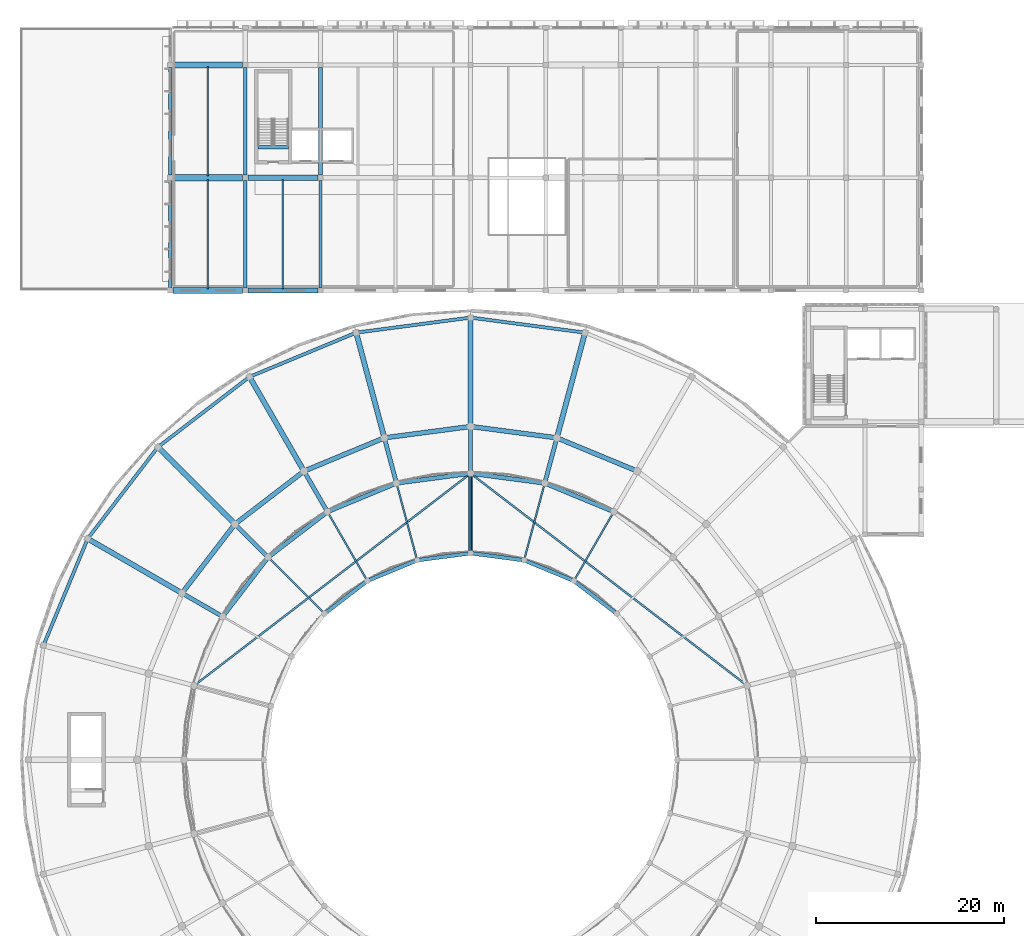
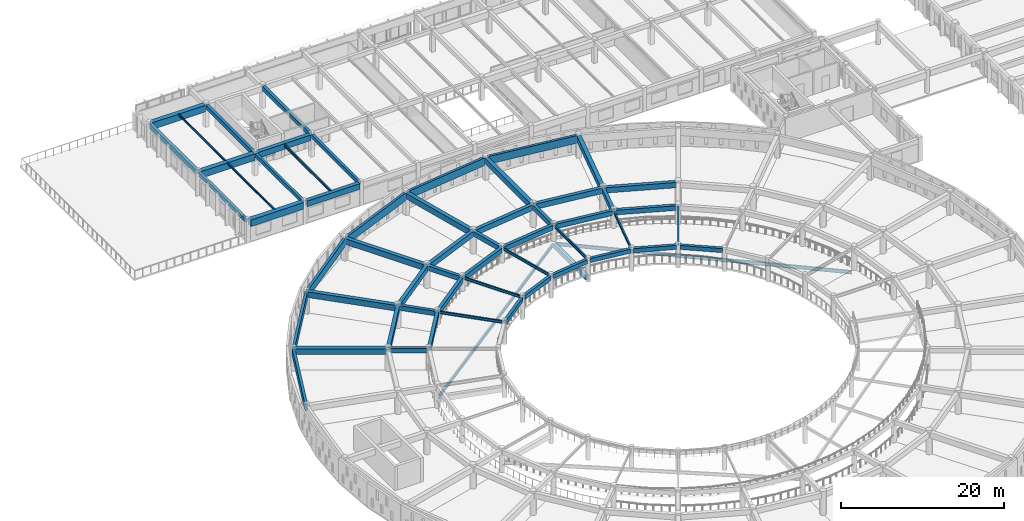
# One storey, part 17 of 155: 60 beams.
"""IFC4 building model written with IfcOpenShell, lengths in metres."""

from ifc_helpers import new_model, si_unit, direction, frame, origin, origin_2d, place, context, subcontext, project, spatial, rectangle, i_section, extrude, material, material_profile, profile_set, type_object, element, save


model = new_model("IFC4")

# Units and contexts
model_context = context("Model", 3, precision=1e-05, world=origin(), true_north=direction((0.0, 1.0)))
body_context = subcontext(model_context, "Body", "Model", "MODEL_VIEW")
ifc_project = project(units=[si_unit("LENGTHUNIT", "METRE"), si_unit("AREAUNIT", "SQUARE_METRE"), si_unit("VOLUMEUNIT", "CUBIC_METRE"), si_unit("PLANEANGLEUNIT", "RADIAN"), si_unit("MASSUNIT", "GRAM", prefix="KILO")], contexts=[model_context])

# Site, building, storey
site_placement = place(None, origin())
site = spatial("IfcSite", under=ifc_project, at=site_placement, CompositionType="ELEMENT")
building_placement = place(site_placement, origin())
building = spatial("IfcBuilding", under=site, at=building_placement, Name="Larkveld Mobility Hub", CompositionType="ELEMENT")
storey_placement = place(building_placement, frame((0.0, 0.0, 8.39990234375)))
storey = spatial("IfcBuildingStorey", under=building, at=storey_placement, Name="L02", CompositionType="ELEMENT", Elevation=8.39990234375)

# Beams
ifc_material_1 = material(Name="Concrete C40/50", Category="concrete")
ifc_material_profile_1 = material_profile(ifc_material_1, rectangle(XDim=0.35009765625, YDim=0.550048828125, at=origin_2d()), Name="RC BM 350x550")
ifc_profile_set_1 = profile_set([ifc_material_profile_1], Name="Concrete C40/50")
beam_type_1 = type_object("IfcBeamType", Name="BM-RC3555", PredefinedType="BEAM", material=ifc_profile_set_1)
for number, where, z_axis, x_axis, name in (
    (1, (16.0, 98.27490234375, 3.085205078125), (0.0, 1.0, 0.0), (-1.0, 0.0, 0.0), "Primary N-S Girder L02-0588"),
    (2, (24.0, 98.27490234375, 3.085205078125), (0.0, 1.0, 0.0), (-1.0, 0.0, 0.0), "Primary N-S Girder L02-0590"),
    (3, (32.0, 98.27490234375, 3.085205078125), (0.0, 1.0, 0.0), (-1.0, 0.0, 0.0), "Primary N-S Girder L02-0593"),
):
    element("IfcBeam", number, at=place(storey_placement, frame(where, z_axis=z_axis, x_axis=x_axis)), inside=storey, type_object=beam_type_1, Name=name, PredefinedType="BEAM", context=body_context, shape_type="SweptSolid", body=[
        extrude(rectangle(XDim=0.35009765625, YDim=0.550048828125, at=origin_2d()), origin(), (0.0, 0.0, 1.0), 11.4501953125),
    ])
beam_1_placement = place(storey_placement, frame((25.330078125, 113.239990234375, -0.27001953125), z_axis=(1.0, 0.0, 0.0), x_axis=(0.0, 1.0, 0.0)))
element("IfcBeam", 4, at=beam_1_placement, inside=storey, type_object=beam_type_1, Name="Core C6 Stair Header Beam L02", PredefinedType="BEAM", context=body_context, shape_type="SweptSolid", body=[
    extrude(rectangle(XDim=0.35009765625, YDim=0.550048828125, at=origin_2d()), origin(), (0.0, 0.0, 1.0), 3.2900390625),
])
ifc_material_profile_2 = material_profile(ifc_material_1, rectangle(XDim=0.39990234375, YDim=0.60009765625, at=origin_2d()), Name="RC BM 400x600")
ifc_profile_set_2 = profile_set([ifc_material_profile_2], Name="Concrete C40/50")
beam_type_2 = type_object("IfcBeamType", Name="BM-RC4060", PredefinedType="BEAM", material=ifc_profile_set_2)
beam_2_placement = place(storey_placement, frame((63.365966796875, 63.701904296875, 3.03515625), z_axis=(-0.793289009793, 0.608845256975, 0.0), x_axis=(-0.608845256975, -0.793289009793, 0.0)))
element("IfcBeam", 5, at=beam_2_placement, inside=storey, type_object=beam_type_2, Name="Drum Chord Ring Beam L02-1632", PredefinedType="BEAM", context=body_context, shape_type="SweptSolid", body=[
    extrude(rectangle(XDim=0.39990234375, YDim=0.60009765625, at=origin_2d()), origin(), (0.0, 0.0, 1.0), 5.26416015625),
])
beam_3_placement = place(storey_placement, frame((58.778076171875, 67.14501953125, 3.03515625), z_axis=(-0.923946165147, 0.382522527323, 0.0), x_axis=(-0.382522527323, -0.923946165147, 0.0)))
element("IfcBeam", 6, at=beam_3_placement, inside=storey, type_object=beam_type_2, Name="Drum Chord Ring Beam L02-1636", PredefinedType="BEAM", context=body_context, shape_type="SweptSolid", body=[
    extrude(rectangle(XDim=0.39990234375, YDim=0.60009765625, at=origin_2d()), origin(), (0.0, 0.0, 1.0), 5.26220703125),
])
for number, where, z_axis, x_axis, name in (
    (7, (53.4560546875, 69.281005859375, 3.03515625), (-0.991419683951, 0.130717291413, 0.0), (-0.130717291413, -0.991419683951, 0.0), "Drum Chord Ring Beam L02-1640"),
    (8, (47.761962890625, 69.968994140625, 3.03515625), (-0.991419683951, -0.130717291413, 0.0), (0.130717291413, -0.991419683951, 0.0), "Drum Chord Ring Beam L02-1644"),
):
    element("IfcBeam", number, at=place(storey_placement, frame(where, z_axis=z_axis, x_axis=x_axis)), inside=storey, type_object=beam_type_2, Name=name, PredefinedType="BEAM", context=body_context, shape_type="SweptSolid", body=[
        extrude(rectangle(XDim=0.39990234375, YDim=0.60009765625, at=origin_2d()), origin(), (0.0, 0.0, 1.0), 5.26318359375),
    ])
beam_4_placement = place(storey_placement, frame((42.083984375, 69.157958984375, 3.03515625), z_axis=(-0.923946165147, -0.382522527323, 0.0), x_axis=(0.382522527323, -0.923946165147, 0.0)))
element("IfcBeam", 9, at=beam_4_placement, inside=storey, type_object=beam_type_2, Name="Drum Chord Ring Beam L02-1648", PredefinedType="BEAM", context=body_context, shape_type="SweptSolid", body=[
    extrude(rectangle(XDim=0.39990234375, YDim=0.60009765625, at=origin_2d()), origin(), (0.0, 0.0, 1.0), 5.26220703125),
])
beam_5_placement = place(storey_placement, frame((36.81005859375, 66.906982421875, 3.03515625), z_axis=(-0.793289009793, -0.608845256975, 0.0), x_axis=(0.608845256975, -0.793289009793, 0.0)))
element("IfcBeam", 10, at=beam_5_placement, inside=storey, type_object=beam_type_2, Name="Drum Chord Ring Beam L02-1652", PredefinedType="BEAM", context=body_context, shape_type="SweptSolid", body=[
    extrude(rectangle(XDim=0.39990234375, YDim=0.60009765625, at=origin_2d()), origin(), (0.0, 0.0, 1.0), 5.26416015625),
])
ifc_material_profile_3 = material_profile(ifc_material_1, rectangle(XDim=0.39990234375, YDim=0.64990234375, at=origin_2d()), Name="RC BM 400x650")
ifc_profile_set_3 = profile_set([ifc_material_profile_3], Name="Concrete C40/50")
beam_type_3 = type_object("IfcBeamType", Name="BM-RC4065", PredefinedType="BEAM", material=ifc_profile_set_3)
for number, where, z_axis, x_axis, name in (
    (11, (16.0, 110.27490234375, 3.03515625), (0.0, 1.0, 0.0), (-1.0, 0.0, 0.0), "Primary N-S Girder L02-0589"),
    (12, (24.0, 110.27490234375, 3.03515625), (0.0, 1.0, 0.0), (-1.0, 0.0, 0.0), "Primary N-S Girder L02-0591"),
    (13, (32.0, 110.27490234375, 3.03515625), (0.0, 1.0, 0.0), (-1.0, 0.0, 0.0), "Primary N-S Girder L02-0593"),
):
    element("IfcBeam", number, at=place(storey_placement, frame(where, z_axis=z_axis, x_axis=x_axis)), inside=storey, type_object=beam_type_3, Name=name, PredefinedType="BEAM", context=body_context, shape_type="SweptSolid", body=[
        extrude(rectangle(XDim=0.39990234375, YDim=0.64990234375, at=origin_2d()), origin(), (0.0, 0.0, 1.0), 11.4501953125),
    ])
ifc_material_profile_4 = material_profile(ifc_material_1, rectangle(XDim=0.449951171875, YDim=0.699951171875, at=origin_2d()), Name="RC BM 450x700")
ifc_profile_set_4 = profile_set([ifc_material_profile_4], Name="Concrete C40/50")
beam_type_4 = type_object("IfcBeamType", Name="BM-RC4570", PredefinedType="BEAM", material=ifc_profile_set_4)
beam_6_placement = place(storey_placement, frame((55.9560546875, 77.693115234375, 2.985107421875), z_axis=(0.258886406125, 0.96590777444, 0.0), x_axis=(-0.96590777444, 0.258886406125, 0.0)))
element("IfcBeam", 14, at=beam_6_placement, inside=storey, type_object=beam_type_4, Name="Drum Radial Girder L02-1565", PredefinedType="BEAM", context=body_context, shape_type="SweptSolid", body=[
    extrude(rectangle(XDim=0.449951171875, YDim=0.699951171875, at=origin_2d()), origin(), (0.0, 0.0, 1.0), 4.51904296875),
])
beam_7_placement = place(storey_placement, frame((48.0, 78.739990234375, 2.985107421875), z_axis=(0.0, 1.0, 0.0), x_axis=(-1.0, 0.0, 0.0)))
element("IfcBeam", 15, at=beam_7_placement, inside=storey, type_object=beam_type_4, Name="Drum Radial Girder L02-1568", PredefinedType="BEAM", context=body_context, shape_type="SweptSolid", body=[
    extrude(rectangle(XDim=0.449951171875, YDim=0.699951171875, at=origin_2d()), origin(), (0.0, 0.0, 1.0), 4.52001953125),
])
beam_8_placement = place(storey_placement, frame((40.0439453125, 77.693115234375, 2.985107421875), z_axis=(-0.258886406125, 0.96590777444, 0.0), x_axis=(-0.96590777444, -0.258886406125, 0.0)))
element("IfcBeam", 16, at=beam_8_placement, inside=storey, type_object=beam_type_4, Name="Drum Radial Girder L02-1571", PredefinedType="BEAM", context=body_context, shape_type="SweptSolid", body=[
    extrude(rectangle(XDim=0.449951171875, YDim=0.699951171875, at=origin_2d()), origin(), (0.0, 0.0, 1.0), 4.51904296875),
])
beam_9_placement = place(storey_placement, frame((32.6298828125, 74.6220703125, 2.985107421875), z_axis=(-0.50002017008, 0.86601375827, 0.0), x_axis=(-0.86601375827, -0.50002017008, 0.0)))
element("IfcBeam", 17, at=beam_9_placement, inside=storey, type_object=beam_type_4, Name="Drum Radial Girder L02-1574", PredefinedType="BEAM", context=body_context, shape_type="SweptSolid", body=[
    extrude(rectangle(XDim=0.449951171875, YDim=0.699951171875, at=origin_2d()), origin(), (0.0, 0.0, 1.0), 4.519287109375),
])
beam_10_placement = place(storey_placement, frame((26.262939453125, 69.737060546875, 2.985107421875), z_axis=(-0.707106781187, 0.707106781187, 0.0), x_axis=(-0.707106781187, -0.707106781187, 0.0)))
element("IfcBeam", 18, at=beam_10_placement, inside=storey, type_object=beam_type_4, Name="Drum Radial Girder L02-1577", PredefinedType="BEAM", context=body_context, shape_type="SweptSolid", body=[
    extrude(rectangle(XDim=0.449951171875, YDim=0.699951171875, at=origin_2d()), origin(), (0.0, 0.0, 1.0), 4.51806640625),
])
beam_11_placement = place(storey_placement, frame((21.3779296875, 63.3701171875, 2.985107421875), z_axis=(-0.86601375827, 0.50002017008, 0.0), x_axis=(-0.50002017008, -0.86601375827, 0.0)))
element("IfcBeam", 19, at=beam_11_placement, inside=storey, type_object=beam_type_4, Name="Drum Radial Girder L02-1580", PredefinedType="BEAM", context=body_context, shape_type="SweptSolid", body=[
    extrude(rectangle(XDim=0.449951171875, YDim=0.699951171875, at=origin_2d()), origin(), (0.0, 0.0, 1.0), 4.519287109375),
])
beam_12_placement = place(storey_placement, frame((63.028076171875, 74.506103515625, 2.985107421875), z_axis=(-0.923893542605, 0.382649607255, 0.0), x_axis=(-0.382649607255, -0.923893542605, 0.0)))
element("IfcBeam", 20, at=beam_12_placement, inside=storey, type_object=beam_type_4, Name="Drum Chord Ring Beam L02-1637", PredefinedType="BEAM", context=body_context, shape_type="SweptSolid", body=[
    extrude(rectangle(XDim=0.449951171875, YDim=0.699951171875, at=origin_2d()), origin(), (0.0, 0.0, 1.0), 7.4814453125),
])
for number, where, z_axis, x_axis, name in (
    (21, (55.656005859375, 77.491943359375, 2.985107421875), (-0.991436961012, 0.1305861874, 0.0), (-0.1305861874, -0.991436961012, 0.0), "Drum Chord Ring Beam L02-1641"),
    (22, (47.761962890625, 78.468994140625, 2.985107421875), (-0.991436961012, -0.1305861874, 0.0), (0.1305861874, -0.991436961012, 0.0), "Drum Chord Ring Beam L02-1645"),
):
    element("IfcBeam", number, at=place(storey_placement, frame(where, z_axis=z_axis, x_axis=x_axis)), inside=storey, type_object=beam_type_4, Name=name, PredefinedType="BEAM", context=body_context, shape_type="SweptSolid", body=[
        extrude(rectangle(XDim=0.449951171875, YDim=0.699951171875, at=origin_2d()), origin(), (0.0, 0.0, 1.0), 7.48193359375),
    ])
beam_13_placement = place(storey_placement, frame((39.884033203125, 77.368896484375, 2.985107421875), z_axis=(-0.923893542605, -0.382649607255, 0.0), x_axis=(0.382649607255, -0.923893542605, 0.0)))
element("IfcBeam", 23, at=beam_13_placement, inside=storey, type_object=beam_type_4, Name="Drum Chord Ring Beam L02-1649", PredefinedType="BEAM", context=body_context, shape_type="SweptSolid", body=[
    extrude(rectangle(XDim=0.449951171875, YDim=0.699951171875, at=origin_2d()), origin(), (0.0, 0.0, 1.0), 7.4814453125),
])
for number, where, z_axis, x_axis, name in (
    (24, (32.56005859375, 74.26806640625, 2.985107421875), (-0.793382610721, -0.608723281143, 0.0), (0.608723281143, -0.793382610721, 0.0), "Drum Chord Ring Beam L02-1653"),
    (25, (26.287109375, 69.376953125, 2.985107421875), (-0.608723281143, -0.793382610721, 0.0), (0.793382610721, -0.608723281143, 0.0), "Drum Chord Ring Beam L02-1657"),
):
    element("IfcBeam", number, at=place(storey_placement, frame(where, z_axis=z_axis, x_axis=x_axis)), inside=storey, type_object=beam_type_4, Name=name, PredefinedType="BEAM", context=body_context, shape_type="SweptSolid", body=[
        extrude(rectangle(XDim=0.449951171875, YDim=0.699951171875, at=origin_2d()), origin(), (0.0, 0.0, 1.0), 7.483154296875),
    ])
beam_14_placement = place(storey_placement, frame((48.0, 70.280029296875, 0.30517578125), z_axis=(0.0, 1.0, 0.0), x_axis=(-1.0, 0.0, 0.0)))
element("IfcBeam", 26, at=beam_14_placement, inside=storey, type_object=beam_type_4, Name="Helical Ramp Radial Support Girder L02-1765", PredefinedType="BEAM", context=body_context, shape_type="SweptSolid", body=[
    extrude(rectangle(XDim=0.449951171875, YDim=0.699951171875, at=origin_2d()), origin(), (0.0, 0.0, 1.0), 7.93994140625),
])
ifc_material_profile_5 = material_profile(ifc_material_1, rectangle(XDim=0.5, YDim=0.800048828125, at=origin_2d()), Name="RC BM 500x800")
ifc_profile_set_5 = profile_set([ifc_material_profile_5], Name="Concrete C40/50")
beam_type_5 = type_object("IfcBeamType", Name="BM-RC5080", PredefinedType="BEAM", material=ifc_profile_set_5)
beam_15_placement = place(storey_placement, frame((65.528076171875, 78.8359375, 2.93505859375), z_axis=(-0.923903395556, 0.382625816799, 0.0), x_axis=(-0.382625816799, -0.923903395556, 0.0)))
element("IfcBeam", 27, at=beam_15_placement, inside=storey, type_object=beam_type_5, Name="Drum Chord Ring Beam L02-1638", PredefinedType="BEAM", context=body_context, shape_type="SweptSolid", body=[
    extrude(rectangle(XDim=0.5, YDim=0.800048828125, at=origin_2d()), origin(), (0.0, 0.0, 1.0), 8.786865234375),
])
for number, where, z_axis, x_axis, name in (
    (28, (56.949951171875, 82.321044921875, 2.93505859375), (-0.991430069478, 0.130638498674, 0.0), (-0.130638498674, -0.991430069478, 0.0), "Drum Chord Ring Beam L02-1642"),
    (29, (47.761962890625, 83.468994140625, 2.93505859375), (-0.991430069478, -0.130638498674, 0.0), (0.130638498674, -0.991430069478, 0.0), "Drum Chord Ring Beam L02-1646"),
):
    element("IfcBeam", number, at=place(storey_placement, frame(where, z_axis=z_axis, x_axis=x_axis)), inside=storey, type_object=beam_type_5, Name=name, PredefinedType="BEAM", context=body_context, shape_type="SweptSolid", body=[
        extrude(rectangle(XDim=0.5, YDim=0.800048828125, at=origin_2d()), origin(), (0.0, 0.0, 1.0), 8.787109375),
    ])
beam_16_placement = place(storey_placement, frame((38.590087890625, 82.197998046875, 2.93505859375), z_axis=(-0.923903395556, -0.382625816799, 0.0), x_axis=(0.382625816799, -0.923903395556, 0.0)))
element("IfcBeam", 30, at=beam_16_placement, inside=storey, type_object=beam_type_5, Name="Drum Chord Ring Beam L02-1650", PredefinedType="BEAM", context=body_context, shape_type="SweptSolid", body=[
    extrude(rectangle(XDim=0.5, YDim=0.800048828125, at=origin_2d()), origin(), (0.0, 0.0, 1.0), 8.786865234375),
])
for number, where, z_axis, x_axis, name in (
    (31, (30.06005859375, 78.597900390625, 2.93505859375), (-0.793357689021, -0.608755761591, 0.0), (0.608755761591, -0.793357689021, 0.0), "Drum Chord Ring Beam L02-1654"),
    (32, (22.751953125, 72.912109375, 2.93505859375), (-0.608755761591, -0.793357689021, 0.0), (0.793357689021, -0.608755761591, 0.0), "Drum Chord Ring Beam L02-1658"),
):
    element("IfcBeam", number, at=place(storey_placement, frame(where, z_axis=z_axis, x_axis=x_axis)), inside=storey, type_object=beam_type_5, Name=name, PredefinedType="BEAM", context=body_context, shape_type="SweptSolid", body=[
        extrude(rectangle(XDim=0.5, YDim=0.800048828125, at=origin_2d()), origin(), (0.0, 0.0, 1.0), 8.7880859375),
    ])
ifc_material_profile_6 = material_profile(ifc_material_1, rectangle(XDim=0.550048828125, YDim=0.85009765625, at=origin_2d()), Name="RC BM 550x850")
ifc_profile_set_6 = profile_set([ifc_material_profile_6], Name="Concrete C40/50")
beam_type_6 = type_object("IfcBeamType", Name="BM-RC5585", PredefinedType="BEAM", material=ifc_profile_set_6)
for number, where, z_axis, x_axis, name in (
    (33, (24.27490234375, 98.0, 2.93505859375), (1.0, 0.0, 0.0), (0.0, 1.0, 0.0), "Primary E-W Girder L02-0539"),
    (34, (24.27490234375, 110.0, 2.93505859375), (1.0, 0.0, 0.0), (0.0, 1.0, 0.0), "Primary E-W Girder L02-0557"),
):
    element("IfcBeam", number, at=place(storey_placement, frame(where, z_axis=z_axis, x_axis=x_axis)), inside=storey, type_object=beam_type_6, Name=name, PredefinedType="BEAM", context=body_context, shape_type="SweptSolid", body=[
        extrude(rectangle(XDim=0.550048828125, YDim=0.85009765625, at=origin_2d()), origin(), (0.0, 0.0, 1.0), 7.4501953125),
    ])
beam_17_placement = place(storey_placement, frame((57.25, 82.52197265625, 2.91015625), z_axis=(0.258810344821, 0.965928157481, 0.0), x_axis=(-0.965928157481, 0.258810344821, 0.0)))
element("IfcBeam", 35, at=beam_17_placement, inside=storey, type_object=beam_type_6, Name="Drum Radial Girder L02-1566", PredefinedType="BEAM", context=body_context, shape_type="SweptSolid", body=[
    extrude(rectangle(XDim=0.550048828125, YDim=0.85009765625, at=origin_2d()), origin(), (0.0, 0.0, 1.0), 11.119873046875),
])
beam_18_placement = place(storey_placement, frame((48.0, 83.739990234375, 2.91015625), z_axis=(0.0, 1.0, 0.0), x_axis=(-1.0, 0.0, 0.0)))
element("IfcBeam", 36, at=beam_18_placement, inside=storey, type_object=beam_type_6, Name="Drum Radial Girder L02-1569", PredefinedType="BEAM", context=body_context, shape_type="SweptSolid", body=[
    extrude(rectangle(XDim=0.550048828125, YDim=0.85009765625, at=origin_2d()), origin(), (0.0, 0.0, 1.0), 11.1201171875),
])
for number, where, z_axis, x_axis, name in (
    (37, (38.75, 82.52197265625, 2.91015625), (-0.258810344821, 0.965928157481, 0.0), (-0.965928157481, -0.258810344821, 0.0), "Drum Radial Girder L02-1572"),
    (38, (30.1298828125, 78.951904296875, 2.91015625), (-0.499990426839, 0.866030930781, 0.0), (-0.866030930781, -0.499990426839, 0.0), "Drum Radial Girder L02-1575"),
):
    element("IfcBeam", number, at=place(storey_placement, frame(where, z_axis=z_axis, x_axis=x_axis)), inside=storey, type_object=beam_type_6, Name=name, PredefinedType="BEAM", context=body_context, shape_type="SweptSolid", body=[
        extrude(rectangle(XDim=0.550048828125, YDim=0.85009765625, at=origin_2d()), origin(), (0.0, 0.0, 1.0), 11.119873046875),
    ])
beam_19_placement = place(storey_placement, frame((22.72802734375, 73.27197265625, 2.91015625), z_axis=(-0.707106781187, 0.707106781187, 0.0), x_axis=(-0.707106781187, -0.707106781187, 0.0)))
element("IfcBeam", 39, at=beam_19_placement, inside=storey, type_object=beam_type_6, Name="Drum Radial Girder L02-1578", PredefinedType="BEAM", context=body_context, shape_type="SweptSolid", body=[
    extrude(rectangle(XDim=0.550048828125, YDim=0.85009765625, at=origin_2d()), origin(), (0.0, 0.0, 1.0), 11.1201171875),
])
beam_20_placement = place(storey_placement, frame((17.048095703125, 65.8701171875, 2.91015625), z_axis=(-0.866030930781, 0.499990426839, 0.0), x_axis=(-0.499990426839, -0.866030930781, 0.0)))
element("IfcBeam", 40, at=beam_20_placement, inside=storey, type_object=beam_type_6, Name="Drum Radial Girder L02-1581", PredefinedType="BEAM", context=body_context, shape_type="SweptSolid", body=[
    extrude(rectangle(XDim=0.550048828125, YDim=0.85009765625, at=origin_2d()), origin(), (0.0, 0.0, 1.0), 11.119873046875),
])
ifc_material_profile_7 = material_profile(ifc_material_1, rectangle(XDim=0.64990234375, YDim=1.0, at=origin_2d()), Name="RC BM 650x1000")
ifc_profile_set_7 = profile_set([ifc_material_profile_7], Name="Concrete C40/50")
beam_type_7 = type_object("IfcBeamType", Name="BM-RC65100", PredefinedType="BEAM", material=ifc_profile_set_7)
for number, where, z_axis, x_axis, name in (
    (41, (16.27490234375, 98.0, 2.860107421875), (1.0, 0.0, 0.0), (0.0, 1.0, 0.0), "Primary E-W Girder L02-0538"),
    (42, (16.27490234375, 110.0, 2.860107421875), (1.0, 0.0, 0.0), (0.0, 1.0, 0.0), "Primary E-W Girder L02-0556"),
    (43, (16.27490234375, 122.0, 2.860107421875), (1.0, 0.0, 0.0), (0.0, 1.0, 0.0), "Primary E-W Girder L02-0570"),
):
    element("IfcBeam", number, at=place(storey_placement, frame(where, z_axis=z_axis, x_axis=x_axis)), inside=storey, type_object=beam_type_7, Name=name, PredefinedType="BEAM", context=body_context, shape_type="SweptSolid", body=[
        extrude(rectangle(XDim=0.64990234375, YDim=1.0, at=origin_2d()), origin(), (0.0, 0.0, 1.0), 7.4501953125),
    ])
ifc_material_2 = material(Name="Precast concrete C50/60", Category="concrete")
ifc_material_profile_8 = material_profile(ifc_material_2, rectangle(XDim=0.35009765625, YDim=1.14990234375, at=origin_2d()), Name="PC SP 350x1150")
ifc_profile_set_8 = profile_set([ifc_material_profile_8], Name="Precast concrete C50/60")
beam_type_8 = type_object("IfcBeamType", Name="BM-SP35115", PredefinedType="SPANDREL", material=ifc_profile_set_8)
for number, where, z_axis, x_axis, name in (
    (44, (59.951904296875, 93.52587890625, 2.760009765625), (-0.991433323883, 0.130613798255, 0.0), (-0.130613798255, -0.991433323883, 0.0), "Drum Chord Ring Beam L02-1643"),
    (45, (47.761962890625, 95.069091796875, 2.760009765625), (-0.991433323883, -0.130613798255, 0.0), (0.130613798255, -0.991433323883, 0.0), "Drum Chord Ring Beam L02-1647"),
):
    element("IfcBeam", number, at=place(storey_placement, frame(where, z_axis=z_axis, x_axis=x_axis)), inside=storey, type_object=beam_type_8, Name=name, PredefinedType="SPANDREL", context=body_context, shape_type="SweptSolid", body=[
        extrude(rectangle(XDim=0.35009765625, YDim=1.14990234375, at=origin_2d()), origin(), (0.0, 0.0, 1.0), 11.815185546875),
    ])
beam_21_placement = place(storey_placement, frame((35.587890625, 93.403076171875, 2.760009765625), z_axis=(-0.923893431655, -0.38264987514, 0.0), x_axis=(0.38264987514, -0.923893431655, 0.0)))
element("IfcBeam", 46, at=beam_21_placement, inside=storey, type_object=beam_type_8, Name="Drum Chord Ring Beam L02-1651", PredefinedType="SPANDREL", context=body_context, shape_type="SweptSolid", body=[
    extrude(rectangle(XDim=0.35009765625, YDim=1.14990234375, at=origin_2d()), origin(), (0.0, 0.0, 1.0), 11.81494140625),
])
for number, where, z_axis, x_axis, name in (
    (47, (24.260009765625, 88.64404296875, 2.760009765625), (-0.79337685225, -0.608730786402, 0.0), (0.608730786402, -0.79337685225, 0.0), "Drum Chord Ring Beam L02-1655"),
    (48, (14.549072265625, 81.114990234375, 2.760009765625), (-0.608730786402, -0.79337685225, 0.0), (0.79337685225, -0.608730786402, 0.0), "Drum Chord Ring Beam L02-1659"),
):
    element("IfcBeam", number, at=place(storey_placement, frame(where, z_axis=z_axis, x_axis=x_axis)), inside=storey, type_object=beam_type_8, Name=name, PredefinedType="SPANDREL", context=body_context, shape_type="SweptSolid", body=[
        extrude(rectangle(XDim=0.35009765625, YDim=1.14990234375, at=origin_2d()), origin(), (0.0, 0.0, 1.0), 11.816650390625),
    ])
beam_22_placement = place(storey_placement, frame((7.117919921875, 71.327880859375, 2.760009765625), z_axis=(-0.38264987514, -0.923893431655, 0.0), x_axis=(0.923893431655, -0.38264987514, 0.0)))
element("IfcBeam", 49, at=beam_22_placement, inside=storey, type_object=beam_type_8, Name="Drum Chord Ring Beam L02-1663", PredefinedType="SPANDREL", context=body_context, shape_type="SweptSolid", body=[
    extrude(rectangle(XDim=0.35009765625, YDim=1.14990234375, at=origin_2d()), origin(), (0.0, 0.0, 1.0), 11.81494140625),
])
ifc_material_3 = material(Name="Steel S355JR", Category="steel")
ifc_material_profile_9 = material_profile(ifc_material_3, i_section(OverallWidth=0.14990234375, OverallDepth=0.300048828125, WebThickness=0.007080078125, FlangeThickness=0.0107421875, FilletRadius=0.014892578125, at=origin_2d()), Name="IPE 300")
ifc_profile_set_9 = profile_set([ifc_material_profile_9], Name="Steel S355JR")
beam_type_9 = type_object("IfcBeamType", Name="BM-STIPE300", PredefinedType="BEAM", material=ifc_profile_set_9)
for number, where, z_axis, x_axis, name in (
    (50, (20.0, 98.169921875, 3.22021484375), (0.0, 1.0, 0.0), (-1.0, 0.0, 0.0), "Bicycle Hall Secondary Beam L02-1200"),
    (51, (20.0, 110.169921875, 3.22021484375), (0.0, 1.0, 0.0), (-1.0, 0.0, 0.0), "Bicycle Hall Secondary Beam L02-1201"),
):
    element("IfcBeam", number, at=place(storey_placement, frame(where, z_axis=z_axis, x_axis=x_axis)), inside=storey, type_object=beam_type_9, Name=name, PredefinedType="BEAM", context=body_context, shape_type="SweptSolid", body=[
        extrude(i_section(OverallWidth=0.14990234375, OverallDepth=0.300048828125, WebThickness=0.007080078125, FlangeThickness=0.0107421875, FilletRadius=0.014892578125, at=origin_2d()), origin(), (0.0, 0.0, 1.0), 11.66015625),
    ])
ifc_material_profile_10 = material_profile(ifc_material_3, i_section(OverallWidth=0.179931640625, OverallDepth=0.39990234375, WebThickness=0.008544921875, FlangeThickness=0.013427734375, FilletRadius=0.02099609375, at=origin_2d()), Name="IPE 400")
ifc_profile_set_10 = profile_set([ifc_material_profile_10], Name="Steel S355JR")
beam_type_10 = type_object("IfcBeamType", Name="BM-STIPE400", PredefinedType="BEAM", material=ifc_profile_set_10)
beam_23_placement = place(storey_placement, frame((28.0, 98.169921875, 3.170166015625), z_axis=(0.0, 1.0, 0.0), x_axis=(-1.0, 0.0, 0.0)))
element("IfcBeam", 52, at=beam_23_placement, inside=storey, type_object=beam_type_10, Name="Bicycle Hall Secondary Beam L02-1202", PredefinedType="BEAM", context=body_context, shape_type="SweptSolid", body=[
    extrude(i_section(OverallWidth=0.179931640625, OverallDepth=0.39990234375, WebThickness=0.008544921875, FlangeThickness=0.013427734375, FilletRadius=0.02099609375, at=origin_2d()), origin(), (0.0, 0.0, 1.0), 11.66015625),
])
beam_24_placement = place(storey_placement, frame((59.1201171875, 67.260986328125, 3.135009765625), z_axis=(0.50000266895, 0.86602386286, 0.0), x_axis=(-0.86602386286, 0.50000266895, 0.0)))
element("IfcBeam", 53, at=beam_24_placement, inside=storey, type_object=beam_type_10, Name="Drum Radial Girder L02-1561", PredefinedType="BEAM", context=body_context, shape_type="SweptSolid", body=[
    extrude(i_section(OverallWidth=0.179931640625, OverallDepth=0.39990234375, WebThickness=0.008544921875, FlangeThickness=0.013427734375, FilletRadius=0.02099609375, at=origin_2d()), origin(), (0.0, 0.0, 1.0), 8.01953125),
])
beam_25_placement = place(storey_placement, frame((53.756103515625, 69.48193359375, 3.135009765625), z_axis=(0.258831434294, 0.96592250653, 0.0), x_axis=(-0.96592250653, 0.258831434294, 0.0)))
element("IfcBeam", 54, at=beam_25_placement, inside=storey, type_object=beam_type_10, Name="Drum Radial Girder L02-1564", PredefinedType="BEAM", context=body_context, shape_type="SweptSolid", body=[
    extrude(i_section(OverallWidth=0.179931640625, OverallDepth=0.39990234375, WebThickness=0.008544921875, FlangeThickness=0.013427734375, FilletRadius=0.02099609375, at=origin_2d()), origin(), (0.0, 0.0, 1.0), 8.020263671875),
])
beam_26_placement = place(storey_placement, frame((48.0, 70.239990234375, 3.135009765625), z_axis=(0.0, 1.0, 0.0), x_axis=(-1.0, 0.0, 0.0)))
element("IfcBeam", 55, at=beam_26_placement, inside=storey, type_object=beam_type_10, Name="Drum Radial Girder L02-1567", PredefinedType="BEAM", context=body_context, shape_type="SweptSolid", body=[
    extrude(i_section(OverallWidth=0.179931640625, OverallDepth=0.39990234375, WebThickness=0.008544921875, FlangeThickness=0.013427734375, FilletRadius=0.02099609375, at=origin_2d()), origin(), (0.0, 0.0, 1.0), 8.02001953125),
])
beam_27_placement = place(storey_placement, frame((42.243896484375, 69.48193359375, 3.135009765625), z_axis=(-0.258831434294, 0.96592250653, 0.0), x_axis=(-0.96592250653, -0.258831434294, 0.0)))
element("IfcBeam", 56, at=beam_27_placement, inside=storey, type_object=beam_type_10, Name="Drum Radial Girder L02-1570", PredefinedType="BEAM", context=body_context, shape_type="SweptSolid", body=[
    extrude(i_section(OverallWidth=0.179931640625, OverallDepth=0.39990234375, WebThickness=0.008544921875, FlangeThickness=0.013427734375, FilletRadius=0.02099609375, at=origin_2d()), origin(), (0.0, 0.0, 1.0), 8.020263671875),
])
beam_28_placement = place(storey_placement, frame((36.8798828125, 67.260986328125, 3.135009765625), z_axis=(-0.50000266895, 0.86602386286, 0.0), x_axis=(-0.86602386286, -0.50000266895, 0.0)))
element("IfcBeam", 57, at=beam_28_placement, inside=storey, type_object=beam_type_10, Name="Drum Radial Girder L02-1573", PredefinedType="BEAM", context=body_context, shape_type="SweptSolid", body=[
    extrude(i_section(OverallWidth=0.179931640625, OverallDepth=0.39990234375, WebThickness=0.008544921875, FlangeThickness=0.013427734375, FilletRadius=0.02099609375, at=origin_2d()), origin(), (0.0, 0.0, 1.0), 8.01953125),
])
beam_29_placement = place(storey_placement, frame((32.27392578125, 63.72607421875, 3.135009765625), z_axis=(-0.707106781187, 0.707106781187, 0.0), x_axis=(-0.707106781187, -0.707106781187, 0.0)))
element("IfcBeam", 58, at=beam_29_placement, inside=storey, type_object=beam_type_10, Name="Drum Radial Girder L02-1576", PredefinedType="BEAM", context=body_context, shape_type="SweptSolid", body=[
    extrude(i_section(OverallWidth=0.179931640625, OverallDepth=0.39990234375, WebThickness=0.008544921875, FlangeThickness=0.013427734375, FilletRadius=0.02099609375, at=origin_2d()), origin(), (0.0, 0.0, 1.0), 8.019775390625),
])
ifc_material_profile_11 = material_profile(ifc_material_3, i_section(OverallWidth=0.199951171875, OverallDepth=0.5, WebThickness=0.01025390625, FlangeThickness=0.01611328125, FilletRadius=0.02099609375, at=origin_2d()), Name="IPE 500")
ifc_profile_set_11 = profile_set([ifc_material_profile_11], Name="Steel S355JR")
beam_type_11 = type_object("IfcBeamType", Name="BM-STIPE500", PredefinedType="BEAM", material=ifc_profile_set_11)
for number, where, z_axis, x_axis, name in (
    (59, (77.239013671875, 56.06396484375, -0.544921875), (-0.79310649328, 0.608586151077, 0.024596484209), (-0.608770328015, -0.793346511764, 0.0), "Helical Ramp Stringer Beam L02-1769"),
    (60, (47.778076171875, 78.330078125, 0.35498046875), (-0.793106363088, -0.608586051175, 0.024603153118), (0.608770328015, -0.793346511764, 0.0), "Helical Ramp Stringer Beam L02-1770"),
):
    element("IfcBeam", number, at=place(storey_placement, frame(where, z_axis=z_axis, x_axis=x_axis)), inside=storey, type_object=beam_type_11, Name=name, PredefinedType="BEAM", context=body_context, shape_type="SweptSolid", body=[
        extrude(i_section(OverallWidth=0.199951171875, OverallDepth=0.5, WebThickness=0.01025390625, FlangeThickness=0.01611328125, FilletRadius=0.02099609375, at=origin_2d()), origin(), (0.0, 0.0, 1.0), 36.586669921875),
    ])

save(model, "model.ifc")
